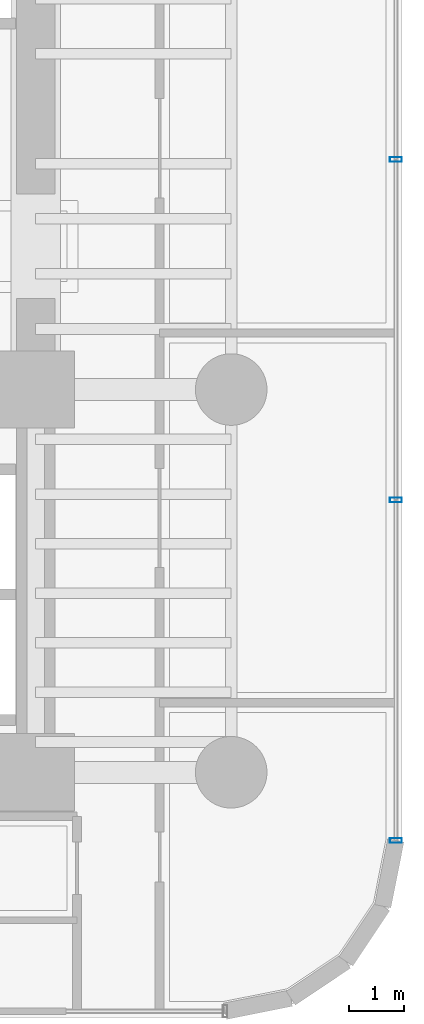
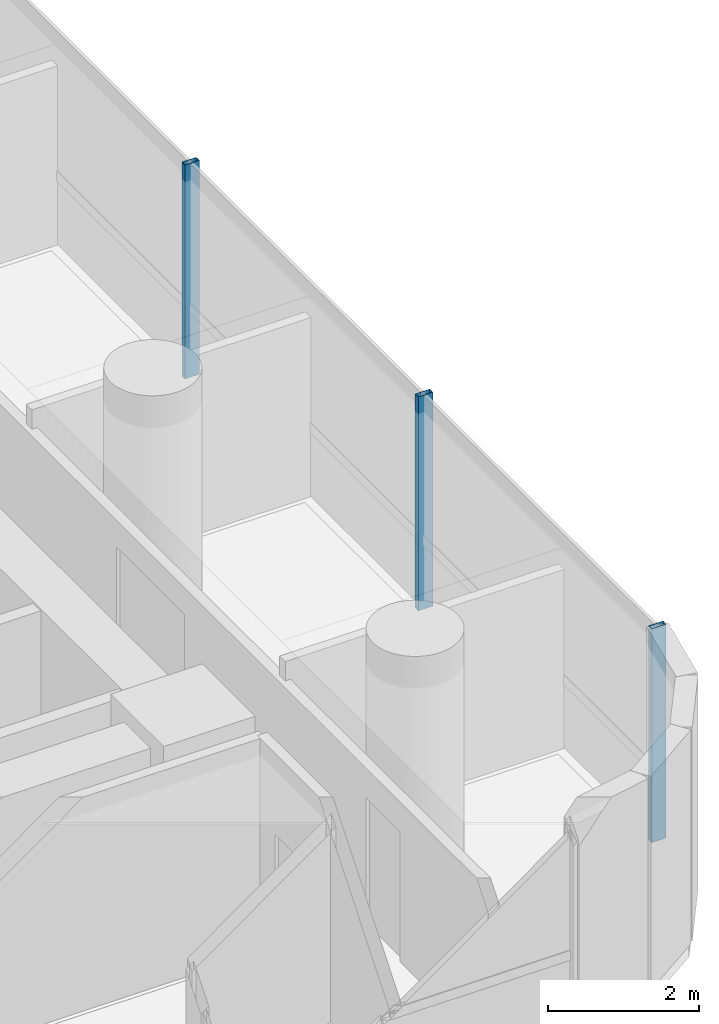
# One storey, part 24 of 40: 3 members, 1 element without a shape of its own.
"""IFC4 building model written with IfcOpenShell, lengths in metres."""

from ifc_helpers import new_model, si_unit, direction, frame, origin, origin_2d, place, context, subcontext, project, spatial, hollow_rectangle, extrude, source, transform, mapped, material, material_profile, profile_set, type_object, element, aggregate, save


model = new_model("IFC4")

# Units and contexts
model_context = context("Model", 3, precision=1e-05, world=origin(), true_north=direction((0.0, 1.0)))
body_context = subcontext(model_context, "Body", "Model", "MODEL_VIEW")
ifc_project = project(units=[si_unit("LENGTHUNIT", "METRE"), si_unit("AREAUNIT", "SQUARE_METRE"), si_unit("VOLUMEUNIT", "CUBIC_METRE"), si_unit("PLANEANGLEUNIT", "RADIAN"), si_unit("MASSUNIT", "GRAM", prefix="KILO")], contexts=[model_context])

# Site, building, storey
site_placement = place(None, origin())
site = spatial("IfcSite", under=ifc_project, at=site_placement, CompositionType="ELEMENT")
building_placement = place(site_placement, origin())
building = spatial("IfcBuilding", under=site, at=building_placement, Name="Valdorenza Pilgrim Sanctuary Tower", CompositionType="ELEMENT")
storey_placement = place(building_placement, frame((0.0, 0.0, 40.800048828125)))
storey = spatial("IfcBuildingStorey", under=building, at=storey_placement, Name="L09", CompositionType="ELEMENT", Elevation=40.800048828125)

# Curtain wall, members
ifc_material_1 = material(Name="Curtain-wall IGU glazing", Category="glass")
curtain_wall_type = type_object("IfcCurtainWallType", Name="CW-SYS-03", PredefinedType="NOTDEFINED", material=ifc_material_1)
curtain_wall_placement = place(storey_placement, origin())
curtain_wall = element("IfcCurtainWall", 1, at=curtain_wall_placement, inside=storey, type_object=curtain_wall_type, Name="L09 Curtain Wall CW-L09-1-21", PredefinedType="NOTDEFINED")
ifc_material_2 = material(Name="Anodised aluminium AW-6060", Category="aluminium")
ifc_material_profile = material_profile(ifc_material_2, hollow_rectangle(XDim=0.0849609375, YDim=0.219970703125, WallThickness=0.0048828125, at=origin_2d()), Name="ALU-M 220x85x5")
ifc_profile_set = profile_set([ifc_material_profile], Name="Anodised aluminium AW-6060")
member_type = type_object("IfcMemberType", Name="CW-MUL-03", PredefinedType="MULLION", material=ifc_profile_set)
shared_shape = source(origin(), body_context, "Body", "SweptSolid", [
    extrude(hollow_rectangle(XDim=0.0849609375, YDim=0.219970703125, WallThickness=0.0048828125, at=origin_2d()), origin(), (0.0, 0.0, 1.0), 3.4599609375),
])
member_1_placement = place(storey_placement, frame((31.389892578125, 1.577880859375, 0.0), z_axis=(0.0, 0.0, 1.0), x_axis=(0.0, -1.0, 0.0)))
member_1 = element("IfcMember", 2, at=member_1_placement, type_object=member_type, Name="CW-L09-1-21 Mullion 3", PredefinedType="MULLION", context=body_context, shape_type="MappedRepresentation", body=[
    mapped(shared_shape, transform((0.0, 0.0, 0.0), x_axis=(1.0, 0.0, 0.0), y_axis=(0.0, 1.0, 0.0), z_axis=(0.0, 0.0, 1.0), scale=1.0)),
])
member_2_placement = place(storey_placement, frame((31.389892578125, -4.605712890625, 0.0), z_axis=(0.0, 0.0, 1.0), x_axis=(0.0, -1.0, 0.0)))
member_2 = element("IfcMember", 3, at=member_2_placement, type_object=member_type, Name="CW-L09-1-21 Mullion 4", PredefinedType="MULLION", context=body_context, shape_type="MappedRepresentation", body=[
    mapped(shared_shape, transform((0.0, 0.0, 0.0), x_axis=(1.0, 0.0, 0.0), y_axis=(0.0, 1.0, 0.0), z_axis=(0.0, 0.0, 1.0), scale=1.0)),
])
member_3_placement = place(storey_placement, frame((31.389892578125, -10.789306640625, 0.0), z_axis=(0.0, 0.0, 1.0), x_axis=(0.0, -1.0, 0.0)))
member_3 = element("IfcMember", 4, at=member_3_placement, type_object=member_type, Name="CW-L09-1-21 Mullion 5", PredefinedType="MULLION", context=body_context, shape_type="MappedRepresentation", body=[
    mapped(shared_shape, transform((0.0, 0.0, 0.0), x_axis=(1.0, 0.0, 0.0), y_axis=(0.0, 1.0, 0.0), z_axis=(0.0, 0.0, 1.0), scale=1.0)),
])
aggregate(curtain_wall, [member_1, member_2, member_3])

save(model, "model.ifc")
